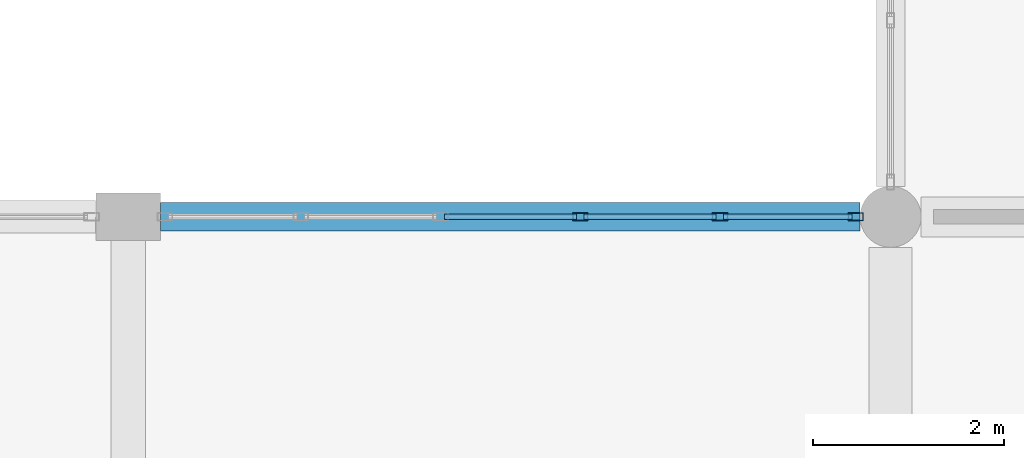
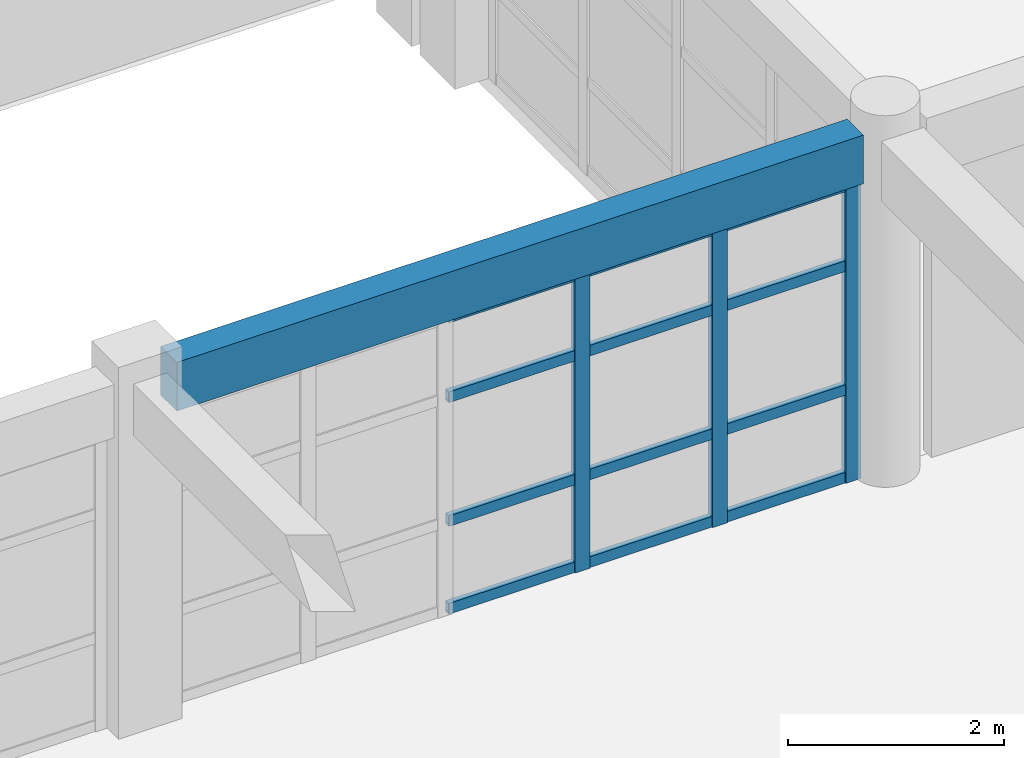
# One storey, part 18 of 121: 15 members, 1 beam, 1 element without a shape of its own.
"""IFC4 building model written with IfcOpenShell, lengths in metres."""

from ifc_helpers import new_model, si_unit, direction, frame, origin, origin_2d, place, context, subcontext, project, spatial, rectangle, hollow_rectangle, extrude, material, material_profile, profile_set, type_object, element, aggregate, save


model = new_model("IFC4")

# Units and contexts
model_context = context("Model", 3, precision=1e-05, world=origin(), true_north=direction((0.0, 1.0)))
body_context = subcontext(model_context, "Body", "Model", "MODEL_VIEW")
ifc_project = project(units=[si_unit("LENGTHUNIT", "METRE"), si_unit("AREAUNIT", "SQUARE_METRE"), si_unit("VOLUMEUNIT", "CUBIC_METRE"), si_unit("PLANEANGLEUNIT", "RADIAN"), si_unit("MASSUNIT", "GRAM", prefix="KILO")], contexts=[model_context])

# Site, building, storey
site_placement = place(None, origin())
site = spatial("IfcSite", under=ifc_project, at=site_placement, CompositionType="ELEMENT")
building_placement = place(site_placement, origin())
building = spatial("IfcBuilding", under=site, at=building_placement, Name="Kharva Crest Polytechnic", CompositionType="ELEMENT")
storey_placement = place(building_placement, frame((0.0, 0.0, 13.199951171875)))
storey = spatial("IfcBuildingStorey", under=building, at=storey_placement, Name="L03", CompositionType="ELEMENT", Elevation=13.199951171875)

# Curtain wall, members
ifc_material_1 = material(Name="Tempered insulated glass", Category="glass")
curtain_wall_type = type_object("IfcCurtainWallType", Name="CW-SYS-COURT", PredefinedType="USERDEFINED", material=ifc_material_1)
curtain_wall_placement = place(storey_placement, origin())
curtain_wall = element("IfcCurtainWall", 1, at=curtain_wall_placement, inside=storey, type_object=curtain_wall_type, Name="L03 Glazed Curtain Wall CW-130", ObjectType="CURTAIN WALL", PredefinedType="USERDEFINED")
ifc_material_2 = material(Name="Steel S355", Category="steel")
ifc_material_profile_1 = material_profile(ifc_material_2, hollow_rectangle(XDim=0.080078125, YDim=0.159912109375, WallThickness=0.0048828125, at=origin_2d()), Name="RHS 160X80X5.0")
ifc_profile_set_1 = profile_set([ifc_material_profile_1], Name="Steel S355")
member_type_1 = type_object("IfcMemberType", Name="CWM-RHS160X80", PredefinedType="MULLION", material=ifc_profile_set_1)
member_1_placement = place(storey_placement, frame((31.635009765625, 30.39990234375, 0.0), z_axis=(0.0, 0.0, 1.0), x_axis=(0.0, -1.0, 0.0)))
member_1 = element("IfcMember", 2, at=member_1_placement, type_object=member_type_1, Name="CW-130 mullion 1", PredefinedType="MULLION", context=body_context, shape_type="SweptSolid", body=[
    extrude(hollow_rectangle(XDim=0.080078125, YDim=0.159912109375, WallThickness=0.0048828125, at=origin_2d()), origin(), (0.0, 0.0, 1.0), 3.41015625),
])
member_2_placement = place(storey_placement, frame((30.208984375, 30.39990234375, 0.0), z_axis=(0.0, 0.0, 1.0), x_axis=(0.0, -1.0, 0.0)))
member_2 = element("IfcMember", 3, at=member_2_placement, type_object=member_type_1, Name="CW-130 mullion 2", PredefinedType="MULLION", context=body_context, shape_type="SweptSolid", body=[
    extrude(hollow_rectangle(XDim=0.080078125, YDim=0.159912109375, WallThickness=0.0048828125, at=origin_2d()), origin(), (0.0, 0.0, 1.0), 3.41015625),
])
member_3_placement = place(storey_placement, frame((28.742919921875, 30.39990234375, 0.0), z_axis=(0.0, 0.0, 1.0), x_axis=(0.0, -1.0, 0.0)))
member_3 = element("IfcMember", 4, at=member_3_placement, type_object=member_type_1, Name="CW-130 mullion 3", PredefinedType="MULLION", context=body_context, shape_type="SweptSolid", body=[
    extrude(hollow_rectangle(XDim=0.080078125, YDim=0.159912109375, WallThickness=0.0048828125, at=origin_2d()), origin(), (0.0, 0.0, 1.0), 3.41015625),
])
ifc_material_profile_2 = material_profile(ifc_material_2, hollow_rectangle(XDim=0.06005859375, YDim=0.1201171875, WallThickness=0.00390625, at=origin_2d()), Name="RHS 120X60X4.0")
ifc_profile_set_2 = profile_set([ifc_material_profile_2], Name="Steel S355")
member_type_2 = type_object("IfcMemberType", Name="CWT-RHS120X60", PredefinedType="USERDEFINED", material=ifc_profile_set_2)
member_4_placement = place(storey_placement, frame((31.594970703125, 30.39990234375, 0.06005859375), z_axis=(-1.0, 0.0, 0.0), x_axis=(0.0, -1.0, 0.0)))
member_4 = element("IfcMember", 5, at=member_4_placement, type_object=member_type_2, Name="CW-130 transom 1.1", ObjectType="TRANSOM", PredefinedType="USERDEFINED", context=body_context, shape_type="SweptSolid", body=[
    extrude(hollow_rectangle(XDim=0.06005859375, YDim=0.1201171875, WallThickness=0.00390625, at=origin_2d()), origin(), (0.0, 0.0, 1.0), 1.345947265625),
])
member_5_placement = place(storey_placement, frame((31.594970703125, 30.39990234375, 1.050048828125), z_axis=(-1.0, 0.0, 0.0), x_axis=(0.0, -1.0, 0.0)))
member_5 = element("IfcMember", 6, at=member_5_placement, type_object=member_type_2, Name="CW-130 transom 1.2", ObjectType="TRANSOM", PredefinedType="USERDEFINED", context=body_context, shape_type="SweptSolid", body=[
    extrude(hollow_rectangle(XDim=0.06005859375, YDim=0.1201171875, WallThickness=0.00390625, at=origin_2d()), origin(), (0.0, 0.0, 1.0), 1.345947265625),
])
member_6_placement = place(storey_placement, frame((31.594970703125, 30.39990234375, 2.449951171875), z_axis=(-1.0, 0.0, 0.0), x_axis=(0.0, -1.0, 0.0)))
member_6 = element("IfcMember", 7, at=member_6_placement, type_object=member_type_2, Name="CW-130 transom 1.3", ObjectType="TRANSOM", PredefinedType="USERDEFINED", context=body_context, shape_type="SweptSolid", body=[
    extrude(hollow_rectangle(XDim=0.06005859375, YDim=0.1201171875, WallThickness=0.00390625, at=origin_2d()), origin(), (0.0, 0.0, 1.0), 1.345947265625),
])
member_7_placement = place(storey_placement, frame((31.594970703125, 30.39990234375, 3.35009765625), z_axis=(-1.0, 0.0, 0.0), x_axis=(0.0, -1.0, 0.0)))
member_7 = element("IfcMember", 8, at=member_7_placement, type_object=member_type_2, Name="CW-130 transom 1.4", ObjectType="TRANSOM", PredefinedType="USERDEFINED", context=body_context, shape_type="SweptSolid", body=[
    extrude(hollow_rectangle(XDim=0.06005859375, YDim=0.1201171875, WallThickness=0.00390625, at=origin_2d()), origin(), (0.0, 0.0, 1.0), 1.345947265625),
])
member_8_placement = place(storey_placement, frame((30.1689453125, 30.39990234375, 0.06005859375), z_axis=(-1.0, 0.0, 0.0), x_axis=(0.0, -1.0, 0.0)))
member_8 = element("IfcMember", 9, at=member_8_placement, type_object=member_type_2, Name="CW-130 transom 2.1", ObjectType="TRANSOM", PredefinedType="USERDEFINED", context=body_context, shape_type="SweptSolid", body=[
    extrude(hollow_rectangle(XDim=0.06005859375, YDim=0.1201171875, WallThickness=0.00390625, at=origin_2d()), origin(), (0.0, 0.0, 1.0), 1.385986328125),
])
member_9_placement = place(storey_placement, frame((30.1689453125, 30.39990234375, 1.050048828125), z_axis=(-1.0, 0.0, 0.0), x_axis=(0.0, -1.0, 0.0)))
member_9 = element("IfcMember", 10, at=member_9_placement, type_object=member_type_2, Name="CW-130 transom 2.2", ObjectType="TRANSOM", PredefinedType="USERDEFINED", context=body_context, shape_type="SweptSolid", body=[
    extrude(hollow_rectangle(XDim=0.06005859375, YDim=0.1201171875, WallThickness=0.00390625, at=origin_2d()), origin(), (0.0, 0.0, 1.0), 1.385986328125),
])
member_10_placement = place(storey_placement, frame((30.1689453125, 30.39990234375, 2.449951171875), z_axis=(-1.0, 0.0, 0.0), x_axis=(0.0, -1.0, 0.0)))
member_10 = element("IfcMember", 11, at=member_10_placement, type_object=member_type_2, Name="CW-130 transom 2.3", ObjectType="TRANSOM", PredefinedType="USERDEFINED", context=body_context, shape_type="SweptSolid", body=[
    extrude(hollow_rectangle(XDim=0.06005859375, YDim=0.1201171875, WallThickness=0.00390625, at=origin_2d()), origin(), (0.0, 0.0, 1.0), 1.385986328125),
])
member_11_placement = place(storey_placement, frame((30.1689453125, 30.39990234375, 3.35009765625), z_axis=(-1.0, 0.0, 0.0), x_axis=(0.0, -1.0, 0.0)))
member_11 = element("IfcMember", 12, at=member_11_placement, type_object=member_type_2, Name="CW-130 transom 2.4", ObjectType="TRANSOM", PredefinedType="USERDEFINED", context=body_context, shape_type="SweptSolid", body=[
    extrude(hollow_rectangle(XDim=0.06005859375, YDim=0.1201171875, WallThickness=0.00390625, at=origin_2d()), origin(), (0.0, 0.0, 1.0), 1.385986328125),
])
member_12_placement = place(storey_placement, frame((28.702880859375, 30.39990234375, 0.06005859375), z_axis=(-1.0, 0.0, 0.0), x_axis=(0.0, -1.0, 0.0)))
member_12 = element("IfcMember", 13, at=member_12_placement, type_object=member_type_2, Name="CW-130 transom 3.1", ObjectType="TRANSOM", PredefinedType="USERDEFINED", context=body_context, shape_type="SweptSolid", body=[
    extrude(hollow_rectangle(XDim=0.06005859375, YDim=0.1201171875, WallThickness=0.00390625, at=origin_2d()), origin(), (0.0, 0.0, 1.0), 1.385986328125),
])
member_13_placement = place(storey_placement, frame((28.702880859375, 30.39990234375, 1.050048828125), z_axis=(-1.0, 0.0, 0.0), x_axis=(0.0, -1.0, 0.0)))
member_13 = element("IfcMember", 14, at=member_13_placement, type_object=member_type_2, Name="CW-130 transom 3.2", ObjectType="TRANSOM", PredefinedType="USERDEFINED", context=body_context, shape_type="SweptSolid", body=[
    extrude(hollow_rectangle(XDim=0.06005859375, YDim=0.1201171875, WallThickness=0.00390625, at=origin_2d()), origin(), (0.0, 0.0, 1.0), 1.385986328125),
])
member_14_placement = place(storey_placement, frame((28.702880859375, 30.39990234375, 2.449951171875), z_axis=(-1.0, 0.0, 0.0), x_axis=(0.0, -1.0, 0.0)))
member_14 = element("IfcMember", 15, at=member_14_placement, type_object=member_type_2, Name="CW-130 transom 3.3", ObjectType="TRANSOM", PredefinedType="USERDEFINED", context=body_context, shape_type="SweptSolid", body=[
    extrude(hollow_rectangle(XDim=0.06005859375, YDim=0.1201171875, WallThickness=0.00390625, at=origin_2d()), origin(), (0.0, 0.0, 1.0), 1.385986328125),
])
member_15_placement = place(storey_placement, frame((28.702880859375, 30.39990234375, 3.35009765625), z_axis=(-1.0, 0.0, 0.0), x_axis=(0.0, -1.0, 0.0)))
member_15 = element("IfcMember", 16, at=member_15_placement, type_object=member_type_2, Name="CW-130 transom 3.4", ObjectType="TRANSOM", PredefinedType="USERDEFINED", context=body_context, shape_type="SweptSolid", body=[
    extrude(hollow_rectangle(XDim=0.06005859375, YDim=0.1201171875, WallThickness=0.00390625, at=origin_2d()), origin(), (0.0, 0.0, 1.0), 1.385986328125),
])
aggregate(curtain_wall, [member_1, member_2, member_3, member_4, member_5, member_6, member_7, member_8, member_9, member_10, member_11, member_12, member_13, member_14, member_15])

# Beam
ifc_material_3 = material(Name="Concrete C35/45", Category="concrete")
ifc_material_profile_3 = material_profile(ifc_material_3, rectangle(XDim=0.300048828125, YDim=0.550048828125, at=origin_2d()), Name="RECT 300 X 550")
ifc_profile_set_3 = profile_set([ifc_material_profile_3], Name="Concrete C35/45")
beam_type = type_object("IfcBeamType", Name="SP-RC-300X550", PredefinedType="SPANDREL", material=ifc_profile_set_3)
beam_placement = place(storey_placement, frame((24.340087890625, 30.39990234375, 3.68505859375), z_axis=(1.0, 0.0, 0.0), x_axis=(0.0, 1.0, 0.0)))
element("IfcBeam", 17, at=beam_placement, inside=storey, type_object=beam_type, Name="L03 Beam E/4-5", PredefinedType="SPANDREL", context=body_context, shape_type="SweptSolid", body=[
    extrude(rectangle(XDim=0.300048828125, YDim=0.550048828125, at=origin_2d()), origin(), (0.0, 0.0, 1.0), 7.33984375),
])

save(model, "model.ifc")
